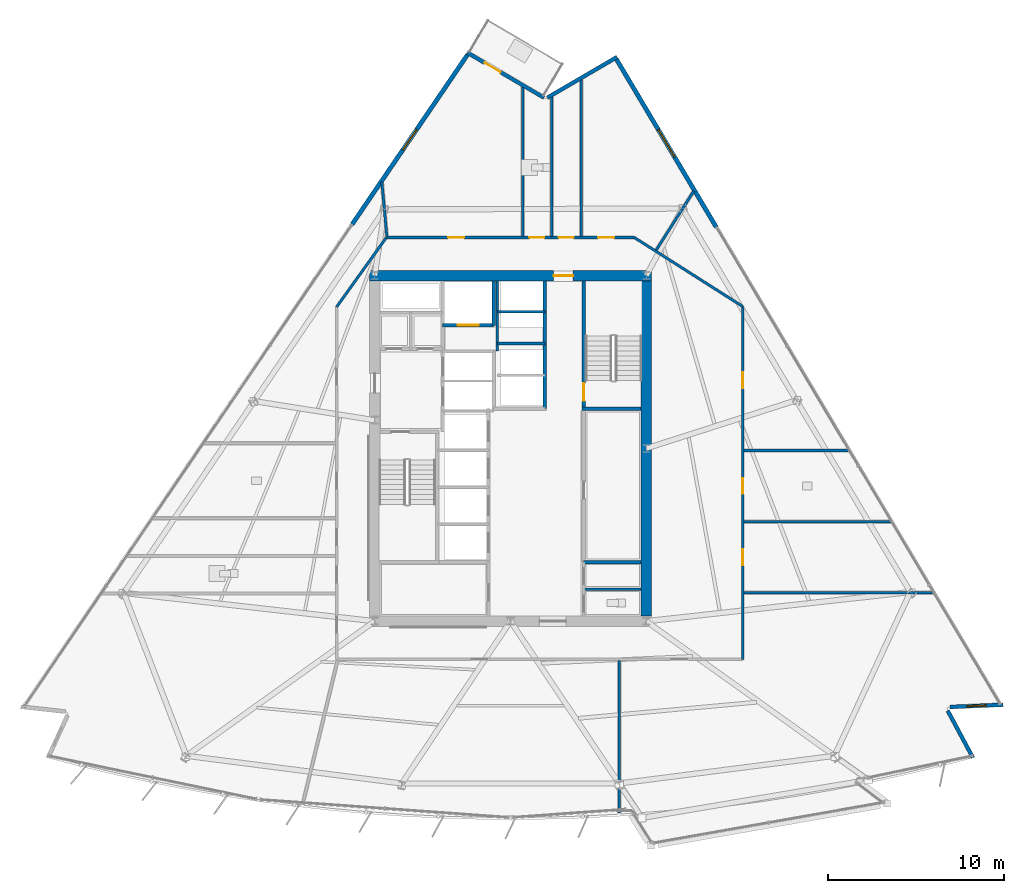
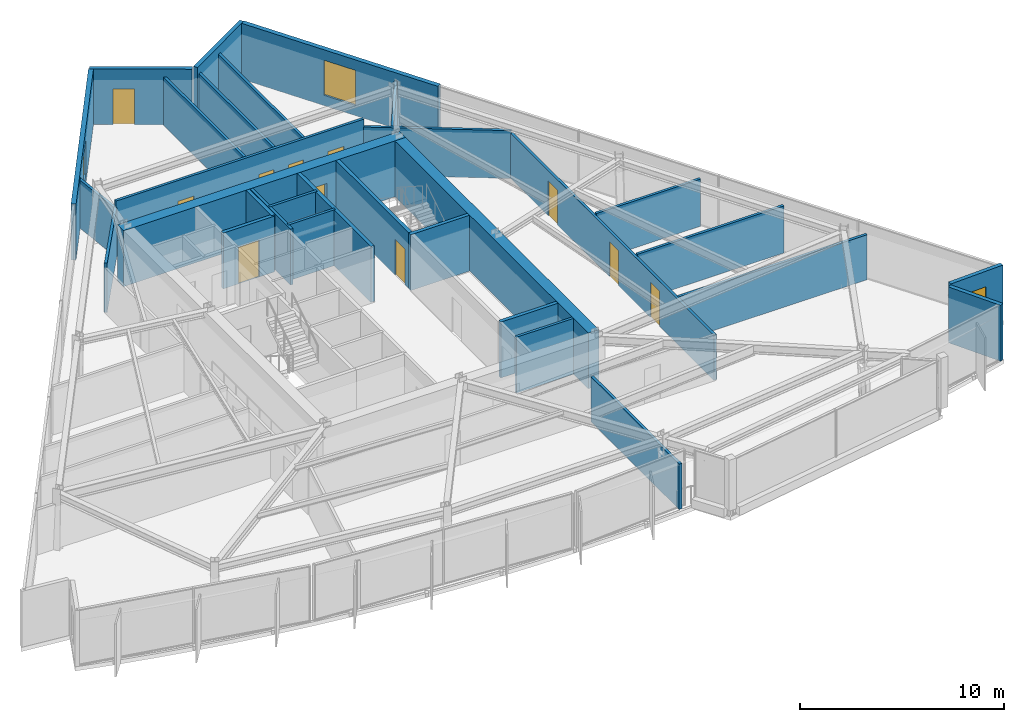
# One storey, part 9 of 15: 31 walls, 11 doors, 3 windows, 14 openings.
"""IFC4 building model written with IfcOpenShell, lengths in metres."""

from ifc_helpers import new_model, si_unit, direction, frame, frame_2d, origin, place, context, subcontext, project, spatial, rectangle, extrude, material, layer, layer_set, type_object, element, fill, save


model = new_model("IFC4")

# Units and contexts
model_context = context("Model", 3, precision=1e-05, world=origin(), true_north=direction((0.0, 1.0)))
body_context = subcontext(model_context, "Body", "Model", "MODEL_VIEW")
ifc_project = project(units=[si_unit("LENGTHUNIT", "METRE"), si_unit("AREAUNIT", "SQUARE_METRE"), si_unit("VOLUMEUNIT", "CUBIC_METRE"), si_unit("PLANEANGLEUNIT", "RADIAN"), si_unit("MASSUNIT", "GRAM", prefix="KILO")], contexts=[model_context])

# Site, building, storey
site_placement = place(None, origin())
site = spatial("IfcSite", under=ifc_project, at=site_placement, CompositionType="ELEMENT")
building_placement = place(site_placement, origin())
building = spatial("IfcBuilding", under=site, at=building_placement, Name="Savorim Split Tower", CompositionType="ELEMENT")
storey_placement = place(building_placement, frame((0.0, 0.0, 122.10009765625)))
storey = spatial("IfcBuildingStorey", under=building, at=storey_placement, Name="L32", CompositionType="ELEMENT", Elevation=122.10009765625)

# Wall, opening, door
ifc_material_1 = material(Name="Concrete C60/75", Category="concrete")
ifc_layer_1 = layer(ifc_material_1, 0.60009765625)
ifc_layer_set_1 = layer_set([ifc_layer_1], Name="WAL-COR-SH600")
wall_type_1 = type_object("IfcWallType", Name="WAL-COR-SH600", PredefinedType="SHEAR", material=ifc_layer_set_1)
wall_1_placement = place(storey_placement, frame((8.0, 10.199951171875, 0.0), z_axis=(0.0, 0.0, 1.0), x_axis=(-1.0, 0.0, 0.0)))
wall_1 = element("IfcWall", 1, at=wall_1_placement, inside=storey, type_object=wall_type_1, Name="L32 Offset Core North Shear Wall", PredefinedType="SHEAR", context=body_context, shape_type="SweptSolid", body=[
    extrude(rectangle(XDim=16.0, YDim=0.60009765625, at=frame_2d((8.0, 0.0))), origin(), (0.0, 0.0, 1.0), 3.349853515625),
])
opening_1_placement = place(wall_1_placement, frame((4.449951171875, 0.0, 0.0)))
opening_1 = element("IfcOpeningElement", 2, at=opening_1_placement, cuts=wall_1, Name="Opening DI-03", PredefinedType="OPENING", context=body_context, shape_type="SweptSolid", body=[
    extrude(rectangle(XDim=1.10009765625, YDim=2.14990234375, at=frame_2d((0.550048828125, 1.074951171875))), frame((0.0, 0.31005859375, 0.0), z_axis=(0.0, -1.0, 0.0), x_axis=(1.0, 0.0, 0.0)), (0.0, 0.0, 1.0), 0.6201171875),
])
ifc_material_2 = material(Name="Timber Fire Door Leaf", Category="wood")
door_type_1 = type_object("IfcDoorType", Name="DOR-FIR-1100", OperationType="NOTDEFINED", PredefinedType="DOOR", material=ifc_material_2)
door_1_placement = place(opening_1_placement, origin())
door_1 = element("IfcDoor", 3, at=door_1_placement, inside=storey, type_object=door_type_1, Name="DOR-L32-COR-NLOB - L32 North Corridor Lobby Fire Door", OperationType="SINGLE_SWING_LEFT", OverallHeight=2.14990234375, OverallWidth=1.10009765625, PredefinedType="DOOR", context=body_context, shape_type="SweptSolid", body=[
    extrude(rectangle(XDim=1.10009765625, YDim=2.14990234375, at=frame_2d((0.550048828125, 1.074951171875))), frame((0.0, 0.02490234375, 0.0), z_axis=(0.0, -1.0, 0.0), x_axis=(1.0, 0.0, 0.0)), (0.0, 0.0, 1.0), 0.050048828125),
])
fill(opening_1, door_1)

# Walls
wall_2_placement = place(storey_placement, frame((7.699951171875, 9.89990234375, 0.0), z_axis=(0.0, 0.0, 1.0), x_axis=(0.0, -1.0, 0.0)))
element("IfcWall", 4, at=wall_2_placement, inside=storey, type_object=wall_type_1, Name="L32 Offset Core East Shear Wall", PredefinedType="SHEAR", context=body_context, shape_type="SweptSolid", body=[
    extrude(rectangle(XDim=19.0, YDim=0.60009765625, at=frame_2d((9.5, 0.0))), origin(), (0.0, 0.0, 1.0), 3.349853515625),
])
ifc_material_3 = material(Name="Precast concrete C40/50", Category="concrete")
ifc_layer_2 = layer(ifc_material_3, 0.219970703125)
ifc_layer_set_2 = layer_set([ifc_layer_2], Name="WAL-EXT-CRN220")
wall_type_2 = type_object("IfcWallType", Name="WAL-EXT-CRN220", PredefinedType="SOLIDWALL", material=ifc_layer_set_2)
wall_3_placement = place(storey_placement, frame((24.79833984375, -14.477294921875, 0.0), z_axis=(0.0, 0.0, 1.0), x_axis=(0.472820757697, -0.881158629925, 0.0)))
element("IfcWall", 5, at=wall_3_placement, inside=storey, type_object=wall_type_2, Name="L32 Notched Corner Facade Wall SE1", PredefinedType="SOLIDWALL", context=body_context, shape_type="SweptSolid", body=[
    extrude(rectangle(XDim=3.02880859375, YDim=0.219970703125, at=frame_2d((1.514404296875, 0.0))), origin(), (0.0, 0.0, 1.0), 3.349853515625),
])

# Wall, opening, window
wall_4_placement = place(storey_placement, frame((27.943359375, -14.135009765625, 0.0), z_axis=(0.0, 0.0, 1.0), x_axis=(-0.999095621918, -0.042519857284, 0.0)))
wall_4 = element("IfcWall", 6, at=wall_4_placement, inside=storey, type_object=wall_type_2, Name="L32 Notched Corner Facade Wall SE", PredefinedType="SOLIDWALL", context=body_context, shape_type="SweptSolid", body=[
    extrude(rectangle(XDim=3.02587890625, YDim=0.219970703125, at=frame_2d((1.512939453125, 0.0))), origin(), (0.0, 0.0, 1.0), 3.349853515625),
])
opening_2_placement = place(wall_4_placement, frame((0.962890625, 0.0, 0.6201171875)))
opening_2 = element("IfcOpeningElement", 7, at=opening_2_placement, cuts=wall_4, Name="Opening WN-09", PredefinedType="OPENING", context=body_context, shape_type="SweptSolid", body=[
    extrude(rectangle(XDim=1.10009765625, YDim=1.800048828125, at=frame_2d((0.550048828125, 0.89990234375))), frame((0.0, 0.119873046875, 0.0), z_axis=(0.0, -1.0, 0.0), x_axis=(1.0, 0.0, 0.0)), (0.0, 0.0, 1.0), 0.239990234375),
])
ifc_material_4 = material(Name="Low-E Operable Double Glazing", Category="glass")
window_type_1 = type_object("IfcWindowType", Name="WIN-TWR-1100x1800", PartitioningType="SINGLE_PANEL", PredefinedType="WINDOW", material=ifc_material_4)
window_1_placement = place(opening_2_placement, origin())
window_1 = element("IfcWindow", 8, at=window_1_placement, inside=storey, type_object=window_type_1, Name="L32 Operable Corner Window SE", OverallHeight=1.800048828125, OverallWidth=1.10009765625, PartitioningType="SINGLE_PANEL", PredefinedType="WINDOW", context=body_context, shape_type="SweptSolid", body=[
    extrude(rectangle(XDim=1.10009765625, YDim=1.800048828125, at=frame_2d((0.550048828125, 0.89990234375))), frame((0.0, 0.030029296875, 0.0), z_axis=(0.0, -1.0, 0.0), x_axis=(1.0, 0.0, 0.0)), (0.0, 0.0, 1.0), 0.06005859375),
])
fill(opening_2, window_1)

# Wall
wall_5_placement = place(storey_placement, frame((2.090087890625, 20.290771484375, 0.0), z_axis=(0.0, 0.0, 1.0), x_axis=(0.863978647835, 0.503528446153, 0.0)))
element("IfcWall", 9, at=wall_5_placement, inside=storey, type_object=wall_type_2, Name="L32 Notched Corner Facade Wall NE1", PredefinedType="SOLIDWALL", context=body_context, shape_type="SweptSolid", body=[
    extrude(rectangle(XDim=4.564453125, YDim=0.219970703125, at=frame_2d((2.2822265625, 0.0))), origin(), (0.0, 0.0, 1.0), 3.349853515625),
])

# Wall, opening, door
wall_6_placement = place(storey_placement, frame((-2.447021484375, 22.845703125, 0.0), z_axis=(0.0, 0.0, 1.0), x_axis=(0.8621357974, -0.506677280763, 0.0)))
wall_6 = element("IfcWall", 10, at=wall_6_placement, inside=storey, type_object=wall_type_2, Name="L32 Notched Corner Facade Wall N", PredefinedType="SOLIDWALL", context=body_context, shape_type="SweptSolid", body=[
    extrude(rectangle(XDim=5.0419921875, YDim=0.219970703125, at=frame_2d((2.52099609375, 0.0))), origin(), (0.0, 0.0, 1.0), 3.349853515625),
])
opening_3_placement = place(wall_6_placement, frame((1.14599609375, 0.0, 0.0)))
opening_3 = element("IfcOpeningElement", 11, at=opening_3_placement, cuts=wall_6, Name="Opening DB-01", PredefinedType="OPENING", context=body_context, shape_type="SweptSolid", body=[
    extrude(rectangle(XDim=1.050048828125, YDim=2.14990234375, at=frame_2d((0.52490234375, 1.074951171875))), frame((0.0, 0.119873046875, 0.0), z_axis=(0.0, -1.0, 0.0), x_axis=(1.0, 0.0, 0.0)), (0.0, 0.0, 1.0), 0.239990234375),
])
ifc_material_5 = material(Name="Charcoal Anodised Aluminium", Category="aluminium")
door_type_2 = type_object("IfcDoorType", Name="DOR-BAL-1050", OperationType="NOTDEFINED", PredefinedType="DOOR", material=ifc_material_5)
door_2_placement = place(opening_3_placement, origin())
door_2 = element("IfcDoor", 12, at=door_2_placement, inside=storey, type_object=door_type_2, Name="DOR-L32-TBAL-N - L32 Planted Tree Balcony Door N", OperationType="SINGLE_SWING_LEFT", OverallHeight=2.14990234375, OverallWidth=1.050048828125, PredefinedType="DOOR", context=body_context, shape_type="SweptSolid", body=[
    extrude(rectangle(XDim=1.050048828125, YDim=2.14990234375, at=frame_2d((0.52490234375, 1.074951171875))), frame((0.0, 0.02490234375, 0.0), z_axis=(0.0, -1.0, 0.0), x_axis=(1.0, 0.0, 0.0)), (0.0, 0.0, 1.0), 0.050048828125),
])
fill(opening_3, door_2)

# Wall, opening, window
ifc_layer_3 = layer(ifc_material_3, 0.25)
ifc_layer_set_3 = layer_set([ifc_layer_3], Name="WAL-EXT-SPN250")
wall_type_3 = type_object("IfcWallType", Name="WAL-EXT-SPN250", PredefinedType="SOLIDWALL", material=ifc_layer_set_3)
wall_7_placement = place(storey_placement, frame((6.01708984375, 22.46240234375, 0.0), z_axis=(0.0, 0.0, 1.0), x_axis=(0.511085523564, -0.859529864288, 0.0)))
wall_7 = element("IfcWall", 13, at=wall_7_placement, inside=storey, type_object=wall_type_3, Name="L32 East Operable Window Pier", PredefinedType="SOLIDWALL", context=body_context, shape_type="SweptSolid", body=[
    extrude(rectangle(XDim=11.067626953125, YDim=0.25, at=frame_2d((5.53369140625, 0.0))), origin(), (0.0, 0.0, 1.0), 3.349853515625),
])
opening_4_placement = place(wall_7_placement, frame((4.6337890625, 0.0, 0.6201171875)))
opening_4 = element("IfcOpeningElement", 14, at=opening_4_placement, cuts=wall_7, Name="Opening WN-04", PredefinedType="OPENING", context=body_context, shape_type="SweptSolid", body=[
    extrude(rectangle(XDim=1.800048828125, YDim=2.10009765625, at=frame_2d((0.89990234375, 1.050048828125))), frame((0.0, 0.135009765625, 0.0), z_axis=(0.0, -1.0, 0.0), x_axis=(1.0, 0.0, 0.0)), (0.0, 0.0, 1.0), 0.27001953125),
])
window_type_2 = type_object("IfcWindowType", Name="WIN-TWR-1800x2100", PartitioningType="DOUBLE_PANEL_VERTICAL", PredefinedType="WINDOW", material=ifc_material_4)
window_2_placement = place(opening_4_placement, origin())
window_2 = element("IfcWindow", 15, at=window_2_placement, inside=storey, type_object=window_type_2, Name="L32 East Operable Ventilation Window", OverallHeight=2.10009765625, OverallWidth=1.800048828125, PartitioningType="SINGLE_PANEL", PredefinedType="WINDOW", context=body_context, shape_type="SweptSolid", body=[
    extrude(rectangle(XDim=1.800048828125, YDim=2.10009765625, at=frame_2d((0.89990234375, 1.050048828125))), frame((0.0, 0.030029296875, 0.0), z_axis=(0.0, -1.0, 0.0), x_axis=(1.0, 0.0, 0.0)), (0.0, 0.0, 1.0), 0.06005859375),
])
fill(opening_4, window_2)

wall_8_placement = place(storey_placement, frame((-8.98388671875, 13.1083984375, 0.0), z_axis=(0.0, 0.0, 1.0), x_axis=(0.562459365703, 0.826824928225, 0.0)))
wall_8 = element("IfcWall", 16, at=wall_8_placement, inside=storey, type_object=wall_type_3, Name="L32 West Operable Window Pier", PredefinedType="SOLIDWALL", context=body_context, shape_type="SweptSolid", body=[
    extrude(rectangle(XDim=11.625, YDim=0.25, at=frame_2d((5.8125, 0.0))), origin(), (0.0, 0.0, 1.0), 3.349853515625),
])
opening_5_placement = place(wall_8_placement, frame((5.112548828125, 0.0, 0.6201171875)))
opening_5 = element("IfcOpeningElement", 17, at=opening_5_placement, cuts=wall_8, Name="Opening WN-07", PredefinedType="OPENING", context=body_context, shape_type="SweptSolid", body=[
    extrude(rectangle(XDim=1.39990234375, YDim=2.0, at=frame_2d((0.699951171875, 1.0))), frame((0.0, 0.135009765625, 0.0), z_axis=(0.0, -1.0, 0.0), x_axis=(1.0, 0.0, 0.0)), (0.0, 0.0, 1.0), 0.27001953125),
])
window_type_3 = type_object("IfcWindowType", Name="WIN-TWR-1400x2000", PartitioningType="SINGLE_PANEL", PredefinedType="WINDOW", material=ifc_material_4)
window_3_placement = place(opening_5_placement, origin())
window_3 = element("IfcWindow", 18, at=window_3_placement, inside=storey, type_object=window_type_3, Name="L32 West Operable Ventilation Window", OverallHeight=2.0, OverallWidth=1.39990234375, PartitioningType="SINGLE_PANEL", PredefinedType="WINDOW", context=body_context, shape_type="SweptSolid", body=[
    extrude(rectangle(XDim=1.39990234375, YDim=2.0, at=frame_2d((0.699951171875, 1.0))), frame((0.0, 0.030029296875, 0.0), z_axis=(0.0, -1.0, 0.0), x_axis=(1.0, 0.0, 0.0)), (0.0, 0.0, 1.0), 0.06005859375),
])
fill(opening_5, window_3)

# Wall, opening, door
ifc_material_6 = material(Name="Concrete C50/60", Category="concrete")
ifc_layer_4 = layer(ifc_material_6, 0.199951171875)
ifc_layer_set_4 = layer_set([ifc_layer_4], Name="WAL-INT-RC200")
wall_type_4 = type_object("IfcWallType", Name="WAL-INT-RC200", PredefinedType="SOLIDWALL", material=ifc_layer_set_4)
wall_9_placement = place(storey_placement, frame((4.14990234375, 2.75, 0.0), z_axis=(0.0, 0.0, 1.0), x_axis=(0.0, 1.0, 0.0)))
wall_9 = element("IfcWall", 19, at=wall_9_placement, inside=storey, type_object=wall_type_4, Name="L32 Structural Shaft Wall W-L32-CR07", PredefinedType="SOLIDWALL", context=body_context, shape_type="SweptSolid", body=[
    extrude(rectangle(XDim=7.14990234375, YDim=0.199951171875, at=frame_2d((3.574951171875, 0.0))), origin(), (0.0, 0.0, 1.0), 3.349853515625),
])
opening_6_placement = place(wall_9_placement, frame((0.35009765625, 0.0, 0.0)))
opening_6 = element("IfcOpeningElement", 20, at=opening_6_placement, cuts=wall_9, Name="Opening DI-04", PredefinedType="OPENING", context=body_context, shape_type="SweptSolid", body=[
    extrude(rectangle(XDim=1.0, YDim=2.14990234375, at=frame_2d((0.5, 1.074951171875))), frame((0.0, 0.10986328125, 0.0), z_axis=(0.0, -1.0, 0.0), x_axis=(1.0, 0.0, 0.0)), (0.0, 0.0, 1.0), 0.219970703125),
])
door_type_3 = type_object("IfcDoorType", Name="DOR-FIR-1000", OperationType="NOTDEFINED", PredefinedType="DOOR", material=ifc_material_2)
door_3_placement = place(opening_6_placement, origin())
door_3 = element("IfcDoor", 21, at=door_3_placement, inside=storey, type_object=door_type_3, Name="DR-L32-ST2 - L32 Stair ST-2 Enclosure Door", OperationType="SINGLE_SWING_RIGHT", OverallHeight=2.14990234375, OverallWidth=1.0, PredefinedType="DOOR", context=body_context, shape_type="SweptSolid", body=[
    extrude(rectangle(XDim=1.0, YDim=2.14990234375, at=frame_2d((0.5, 1.074951171875))), frame((0.0, 0.02490234375, 0.0), z_axis=(0.0, -1.0, 0.0), x_axis=(1.0, 0.0, 0.0)), (0.0, 0.0, 1.0), 0.050048828125),
])
fill(opening_6, door_3)

# Wall
wall_10_placement = place(storey_placement, frame((4.050048828125, 2.64990234375, 0.0), z_axis=(0.0, 0.0, 1.0), x_axis=(1.0, 0.0, 0.0)))
element("IfcWall", 22, at=wall_10_placement, inside=storey, type_object=wall_type_4, Name="L32 Structural Shaft Wall W-L32-CR08", PredefinedType="SOLIDWALL", context=body_context, shape_type="SweptSolid", body=[
    extrude(rectangle(XDim=3.349853515625, YDim=0.199951171875, at=frame_2d((1.6748046875, 0.0))), origin(), (0.0, 0.0, 1.0), 3.349853515625),
])

# Wall, opening, door
wall_11_placement = place(storey_placement, frame((-3.85009765625, 7.3798828125, 0.0), z_axis=(0.0, 0.0, 1.0), x_axis=(1.0, 0.0, 0.0)))
wall_11 = element("IfcWall", 23, at=wall_11_placement, inside=storey, type_object=wall_type_4, Name="L32 Partition W-L32-SVLS", PredefinedType="SOLIDWALL", context=body_context, shape_type="SweptSolid", body=[
    extrude(rectangle(XDim=2.900146484375, YDim=0.199951171875, at=frame_2d((1.4501953125, 0.0))), origin(), (0.0, 0.0, 1.0), 3.349853515625),
])
opening_7_placement = place(wall_11_placement, frame((0.85009765625, 0.0, 0.0)))
opening_7 = element("IfcOpeningElement", 24, at=opening_7_placement, cuts=wall_11, Name="Opening LD-SV", PredefinedType="OPENING", context=body_context, shape_type="SweptSolid", body=[
    extrude(rectangle(XDim=1.199951171875, YDim=2.199951171875, at=frame_2d((0.60009765625, 1.10009765625))), frame((0.0, 0.10986328125, 0.0), z_axis=(0.0, -1.0, 0.0), x_axis=(1.0, 0.0, 0.0)), (0.0, 0.0, 1.0), 0.219970703125),
])
door_type_4 = type_object("IfcDoorType", Name="DOR-SLD-SV1200", OperationType="NOTDEFINED", PredefinedType="DOOR", material=ifc_material_5)
door_4_placement = place(opening_7_placement, origin())
door_4 = element("IfcDoor", 25, at=door_4_placement, inside=storey, type_object=door_type_4, Name="DR-L32-LD-SVL1 - L32 Service Lift SVL-1 Sliding Landing Door", OperationType="DOUBLE_DOOR_SLIDING", OverallHeight=2.199951171875, OverallWidth=1.199951171875, PredefinedType="DOOR", context=body_context, shape_type="SweptSolid", body=[
    extrude(rectangle(XDim=1.199951171875, YDim=2.199951171875, at=frame_2d((0.60009765625, 1.10009765625))), frame((0.0, 0.02490234375, 0.0), z_axis=(0.0, -1.0, 0.0), x_axis=(1.0, 0.0, 0.0)), (0.0, 0.0, 1.0), 0.050048828125),
])
fill(opening_7, door_4)

# Walls
wall_12_placement = place(storey_placement, frame((-0.949951171875, 7.3798828125, 0.0), z_axis=(0.0, 0.0, 1.0), x_axis=(0.0, 1.0, 0.0)))
element("IfcWall", 26, at=wall_12_placement, inside=storey, type_object=wall_type_4, Name="L32 Partition W-L32-SVLE", PredefinedType="SOLIDWALL", context=body_context, shape_type="SweptSolid", body=[
    extrude(rectangle(XDim=2.51513671875, YDim=0.199951171875, at=frame_2d((1.257568359375, 0.0))), origin(), (0.0, 0.0, 1.0), 3.349853515625),
])
wall_13_placement = place(storey_placement, frame((1.949951171875, 2.64990234375, 0.0), z_axis=(0.0, 0.0, 1.0), x_axis=(0.0, 1.0, 0.0)))
element("IfcWall", 27, at=wall_13_placement, inside=storey, type_object=wall_type_4, Name="L32 Partition W-L32-B3FRONT", PredefinedType="SOLIDWALL", context=body_context, shape_type="SweptSolid", body=[
    extrude(rectangle(XDim=7.2451171875, YDim=0.199951171875, at=frame_2d((3.62255859375, 0.0))), origin(), (0.0, 0.0, 1.0), 3.349853515625),
])
wall_14_placement = place(storey_placement, frame((4.14990234375, -6.050048828125, 0.0), z_axis=(0.0, 0.0, 1.0), x_axis=(1.0, 0.0, 0.0)))
element("IfcWall", 28, at=wall_14_placement, inside=storey, type_object=wall_type_4, Name="L32 Partition W-L32-KSEP-E", PredefinedType="SOLIDWALL", context=body_context, shape_type="SweptSolid", body=[
    extrude(rectangle(XDim=3.2451171875, YDim=0.199951171875, at=frame_2d((1.62255859375, 0.0))), origin(), (0.0, 0.0, 1.0), 3.349853515625),
])
ifc_material_7 = material(Name="Acoustic Gypsum Partition Board")
ifc_layer_5 = layer(ifc_material_7, 0.14990234375)
ifc_layer_set_5 = layer_set([ifc_layer_5], Name="WAL-PAR-150")
wall_type_5 = type_object("IfcWallType", Name="WAL-PAR-150", PredefinedType="PARTITIONING", material=ifc_layer_set_5)
wall_15_placement = place(storey_placement, frame((-0.75, 5.919921875, 0.0), z_axis=(0.0, 0.0, 1.0), x_axis=(0.0, 1.0, 0.0)))
element("IfcWall", 29, at=wall_15_placement, inside=storey, type_object=wall_type_5, Name="L32 Partition W-L32-B3WEST", PredefinedType="PARTITIONING", context=body_context, shape_type="SweptSolid", body=[
    extrude(rectangle(XDim=3.97509765625, YDim=0.14990234375, at=frame_2d((1.987548828125, 0.0))), origin(), (0.0, 0.0, 1.0), 3.349853515625),
])
for number, where, z_axis, x_axis, name in (
    (30, (-0.75, 6.35009765625, 0.0), (0.0, 0.0, 1.0), (1.0, 0.0, 0.0), "L32 Partition W-L32-B3DIV2"),
    (31, (-0.75, 8.14990234375, 0.0), (0.0, 0.0, 1.0), (1.0, 0.0, 0.0), "L32 Partition W-L32-B3DIV3"),
):
    element("IfcWall", number, at=place(storey_placement, frame(where, z_axis=z_axis, x_axis=x_axis)), inside=storey, type_object=wall_type_5, Name=name, PredefinedType="PARTITIONING", context=body_context, shape_type="SweptSolid", body=[
        extrude(rectangle(XDim=2.699951171875, YDim=0.14990234375, at=frame_2d((1.35009765625, 0.0))), origin(), (0.0, 0.0, 1.0), 3.349853515625),
    ])
wall_16_placement = place(storey_placement, frame((4.14990234375, -7.580078125, 0.0), z_axis=(0.0, 0.0, 1.0), x_axis=(1.0, 0.0, 0.0)))
element("IfcWall", 32, at=wall_16_placement, inside=storey, type_object=wall_type_5, Name="L32 Partition W-L32-K3H", PredefinedType="PARTITIONING", context=body_context, shape_type="SweptSolid", body=[
    extrude(rectangle(XDim=3.2451171875, YDim=0.14990234375, at=frame_2d((1.62255859375, 0.0))), origin(), (0.0, 0.0, 1.0), 3.349853515625),
])
wall_17_placement = place(storey_placement, frame((-9.860107421875, 8.42578125, 0.0), z_axis=(0.0, 0.0, 1.0), x_axis=(0.582449511476, 0.812866881218, 0.0)))
element("IfcWall", 33, at=wall_17_placement, inside=storey, type_object=wall_type_5, Name="L32 Partition W-L32-COR-02", PredefinedType="PARTITIONING", context=body_context, shape_type="SweptSolid", body=[
    extrude(rectangle(XDim=4.840087890625, YDim=0.14990234375, at=frame_2d((2.419921875, 0.0))), origin(), (0.0, 0.0, 1.0), 2.96484375),
])

# Wall, openings, doors
wall_18_placement = place(storey_placement, frame((-7.041015625, 12.360107421875, 0.0), z_axis=(0.0, 0.0, 1.0), x_axis=(1.0, 0.0, 0.0)))
wall_18 = element("IfcWall", 34, at=wall_18_placement, inside=storey, type_object=wall_type_5, Name="L32 Partition W-L32-COR-03", PredefinedType="PARTITIONING", context=body_context, shape_type="SweptSolid", body=[
    extrude(rectangle(XDim=14.064208984375, YDim=0.14990234375, at=frame_2d((7.0322265625, 0.0))), origin(), (0.0, 0.0, 1.0), 3.349853515625),
])
opening_8_placement = place(wall_18_placement, frame((12.017333984375, 0.0, 0.0)))
opening_8 = element("IfcOpeningElement", 35, at=opening_8_placement, cuts=wall_18, Name="Opening DI-06", PredefinedType="OPENING", context=body_context, shape_type="SweptSolid", body=[
    extrude(rectangle(XDim=0.89990234375, YDim=2.10009765625, at=frame_2d((0.449951171875, 1.050048828125))), frame((0.0, 0.0849609375, 0.0), z_axis=(0.0, -1.0, 0.0), x_axis=(1.0, 0.0, 0.0)), (0.0, 0.0, 1.0), 0.169921875),
])
opening_9_placement = place(wall_18_placement, frame((9.769775390625, 0.0, 0.0)))
opening_9 = element("IfcOpeningElement", 36, at=opening_9_placement, cuts=wall_18, Name="Opening DI-13", PredefinedType="OPENING", context=body_context, shape_type="SweptSolid", body=[
    extrude(rectangle(XDim=0.85009765625, YDim=2.10009765625, at=frame_2d((0.425048828125, 1.050048828125))), frame((0.0, 0.0849609375, 0.0), z_axis=(0.0, -1.0, 0.0), x_axis=(1.0, 0.0, 0.0)), (0.0, 0.0, 1.0), 0.169921875),
])
opening_10_placement = place(wall_18_placement, frame((8.11181640625, 0.0, 0.0)))
opening_10 = element("IfcOpeningElement", 37, at=opening_10_placement, cuts=wall_18, Name="Opening DI-13", PredefinedType="OPENING", context=body_context, shape_type="SweptSolid", body=[
    extrude(rectangle(XDim=0.85009765625, YDim=2.10009765625, at=frame_2d((0.425048828125, 1.050048828125))), frame((0.0, 0.0849609375, 0.0), z_axis=(0.0, -1.0, 0.0), x_axis=(1.0, 0.0, 0.0)), (0.0, 0.0, 1.0), 0.169921875),
])
opening_11_placement = place(wall_18_placement, frame((3.505615234375, 0.0, 0.0)))
opening_11 = element("IfcOpeningElement", 38, at=opening_11_placement, cuts=wall_18, Name="Opening DI-06", PredefinedType="OPENING", context=body_context, shape_type="SweptSolid", body=[
    extrude(rectangle(XDim=0.89990234375, YDim=2.10009765625, at=frame_2d((0.449951171875, 1.050048828125))), frame((0.0, 0.0849609375, 0.0), z_axis=(0.0, -1.0, 0.0), x_axis=(1.0, 0.0, 0.0)), (0.0, 0.0, 1.0), 0.169921875),
])
door_type_5 = type_object("IfcDoorType", Name="DOR-FIR-850", OperationType="NOTDEFINED", PredefinedType="DOOR", material=ifc_material_2)
door_5_placement = place(opening_9_placement, origin())
door_5 = element("IfcDoor", 39, at=door_5_placement, inside=storey, type_object=door_type_5, Name="DR-L32-RM11 - L32 Quiet Study Room Entry Door", OperationType="SINGLE_SWING_RIGHT", OverallHeight=2.10009765625, OverallWidth=0.85009765625, PredefinedType="DOOR", context=body_context, shape_type="SweptSolid", body=[
    extrude(rectangle(XDim=0.85009765625, YDim=2.10009765625, at=frame_2d((0.425048828125, 1.050048828125))), frame((0.0, 0.02490234375, 0.0), z_axis=(0.0, -1.0, 0.0), x_axis=(1.0, 0.0, 0.0)), (0.0, 0.0, 1.0), 0.050048828125),
])
fill(opening_9, door_5)
door_6_placement = place(opening_10_placement, origin())
door_6 = element("IfcDoor", 40, at=door_6_placement, inside=storey, type_object=door_type_5, Name="DR-L32-RM12 - L32 Shared Bathroom Entry Door", OperationType="SINGLE_SWING_LEFT", OverallHeight=2.10009765625, OverallWidth=0.85009765625, PredefinedType="DOOR", context=body_context, shape_type="SweptSolid", body=[
    extrude(rectangle(XDim=0.85009765625, YDim=2.10009765625, at=frame_2d((0.425048828125, 1.050048828125))), frame((0.0, 0.02490234375, 0.0), z_axis=(0.0, -1.0, 0.0), x_axis=(1.0, 0.0, 0.0)), (0.0, 0.0, 1.0), 0.050048828125),
])
fill(opening_10, door_6)
door_type_6 = type_object("IfcDoorType", Name="DOR-FIR-900", OperationType="NOTDEFINED", PredefinedType="DOOR", material=ifc_material_2)
door_7_placement = place(opening_8_placement, origin())
door_7 = element("IfcDoor", 41, at=door_7_placement, inside=storey, type_object=door_type_6, Name="DR-L32-RM10 - L32 Maker Workshop Entry Door", OperationType="SINGLE_SWING_LEFT", OverallHeight=2.10009765625, OverallWidth=0.89990234375, PredefinedType="DOOR", context=body_context, shape_type="SweptSolid", body=[
    extrude(rectangle(XDim=0.89990234375, YDim=2.10009765625, at=frame_2d((0.449951171875, 1.050048828125))), frame((0.0, 0.02490234375, 0.0), z_axis=(0.0, -1.0, 0.0), x_axis=(1.0, 0.0, 0.0)), (0.0, 0.0, 1.0), 0.050048828125),
])
fill(opening_8, door_7)
door_8_placement = place(opening_11_placement, origin())
door_8 = element("IfcDoor", 42, at=door_8_placement, inside=storey, type_object=door_type_6, Name="DR-L32-RM13 - L32 Co-Working Commons Entry Door", OperationType="SINGLE_SWING_RIGHT", OverallHeight=2.10009765625, OverallWidth=0.89990234375, PredefinedType="DOOR", context=body_context, shape_type="SweptSolid", body=[
    extrude(rectangle(XDim=0.89990234375, YDim=2.10009765625, at=frame_2d((0.449951171875, 1.050048828125))), frame((0.0, 0.02490234375, 0.0), z_axis=(0.0, -1.0, 0.0), x_axis=(1.0, 0.0, 0.0)), (0.0, 0.0, 1.0), 0.050048828125),
])
fill(opening_11, door_8)

# Wall
wall_19_placement = place(storey_placement, frame((7.023193359375, 12.360107421875, 0.0), z_axis=(0.0, 0.0, 1.0), x_axis=(0.84376480085, -0.536713108511, 0.0)))
element("IfcWall", 43, at=wall_19_placement, inside=storey, type_object=wall_type_5, Name="L32 Partition W-L32-COR-04", PredefinedType="PARTITIONING", context=body_context, shape_type="SweptSolid", body=[
    extrude(rectangle(XDim=7.296630859375, YDim=0.14990234375, at=frame_2d((3.6484375, 0.0))), origin(), (0.0, 0.0, 1.0), 2.875),
])

# Wall, openings, doors
wall_20_placement = place(storey_placement, frame((13.179931640625, 8.44384765625, 0.0), z_axis=(0.0, 0.0, 1.0), x_axis=(0.0, -1.0, 0.0)))
wall_20 = element("IfcWall", 44, at=wall_20_placement, inside=storey, type_object=wall_type_5, Name="L32 Partition W-L32-COR-05", PredefinedType="PARTITIONING", context=body_context, shape_type="SweptSolid", body=[
    extrude(rectangle(XDim=20.00390625, YDim=0.14990234375, at=frame_2d((10.001953125, 0.0))), origin(), (0.0, 0.0, 1.0), 2.704833984375),
])
opening_12_placement = place(wall_20_placement, frame((13.76025390625, 0.0, 0.0)))
opening_12 = element("IfcOpeningElement", 45, at=opening_12_placement, cuts=wall_20, Name="Opening DI-06", PredefinedType="OPENING", context=body_context, shape_type="SweptSolid", body=[
    extrude(rectangle(XDim=0.89990234375, YDim=2.10009765625, at=frame_2d((0.449951171875, 1.050048828125))), frame((0.0, 0.0849609375, 0.0), z_axis=(0.0, -1.0, 0.0), x_axis=(1.0, 0.0, 0.0)), (0.0, 0.0, 1.0), 0.169921875),
])
opening_13_placement = place(wall_20_placement, frame((9.728759765625, 0.0, 0.0)))
opening_13 = element("IfcOpeningElement", 46, at=opening_13_placement, cuts=wall_20, Name="Opening DI-06", PredefinedType="OPENING", context=body_context, shape_type="SweptSolid", body=[
    extrude(rectangle(XDim=0.89990234375, YDim=2.10009765625, at=frame_2d((0.449951171875, 1.050048828125))), frame((0.0, 0.0849609375, 0.0), z_axis=(0.0, -1.0, 0.0), x_axis=(1.0, 0.0, 0.0)), (0.0, 0.0, 1.0), 0.169921875),
])
opening_14_placement = place(wall_20_placement, frame((3.720703125, 0.0, 0.0)))
opening_14 = element("IfcOpeningElement", 47, at=opening_14_placement, cuts=wall_20, Name="Opening DI-06", PredefinedType="OPENING", context=body_context, shape_type="SweptSolid", body=[
    extrude(rectangle(XDim=0.89990234375, YDim=2.10009765625, at=frame_2d((0.449951171875, 1.050048828125))), frame((0.0, 0.0849609375, 0.0), z_axis=(0.0, -1.0, 0.0), x_axis=(1.0, 0.0, 0.0)), (0.0, 0.0, 1.0), 0.169921875),
])
door_9_placement = place(opening_12_placement, origin())
door_9 = element("IfcDoor", 48, at=door_9_placement, inside=storey, type_object=door_type_6, Name="DR-L32-RM07 - L32 Communal Lounge Entry Door", OperationType="SINGLE_SWING_RIGHT", OverallHeight=2.10009765625, OverallWidth=0.89990234375, PredefinedType="DOOR", context=body_context, shape_type="SweptSolid", body=[
    extrude(rectangle(XDim=0.89990234375, YDim=2.10009765625, at=frame_2d((0.449951171875, 1.050048828125))), frame((0.0, 0.02490234375, 0.0), z_axis=(0.0, -1.0, 0.0), x_axis=(1.0, 0.0, 0.0)), (0.0, 0.0, 1.0), 0.050048828125),
])
fill(opening_12, door_9)
door_10_placement = place(opening_13_placement, origin())
door_10 = element("IfcDoor", 49, at=door_10_placement, inside=storey, type_object=door_type_6, Name="DR-L32-RM08 - L32 Community Laundry Room Entry Door", OperationType="SINGLE_SWING_LEFT", OverallHeight=2.10009765625, OverallWidth=0.89990234375, PredefinedType="DOOR", context=body_context, shape_type="SweptSolid", body=[
    extrude(rectangle(XDim=0.89990234375, YDim=2.10009765625, at=frame_2d((0.449951171875, 1.050048828125))), frame((0.0, 0.02490234375, 0.0), z_axis=(0.0, -1.0, 0.0), x_axis=(1.0, 0.0, 0.0)), (0.0, 0.0, 1.0), 0.050048828125),
])
fill(opening_13, door_10)
door_11_placement = place(opening_14_placement, origin())
door_11 = element("IfcDoor", 50, at=door_11_placement, inside=storey, type_object=door_type_6, Name="DR-L32-RM09 - L32 Co-Working Commons Entry Door", OperationType="SINGLE_SWING_RIGHT", OverallHeight=2.10009765625, OverallWidth=0.89990234375, PredefinedType="DOOR", context=body_context, shape_type="SweptSolid", body=[
    extrude(rectangle(XDim=0.89990234375, YDim=2.10009765625, at=frame_2d((0.449951171875, 1.050048828125))), frame((0.0, 0.02490234375, 0.0), z_axis=(0.0, -1.0, 0.0), x_axis=(1.0, 0.0, 0.0)), (0.0, 0.0, 1.0), 0.050048828125),
])
fill(opening_14, door_11)

# Walls
wall_21_placement = place(storey_placement, frame((6.172119140625, -11.6201171875, 0.0), z_axis=(0.0, 0.0, 1.0), x_axis=(0.0, -1.0, 0.0)))
element("IfcWall", 51, at=wall_21_placement, inside=storey, type_object=wall_type_5, Name="L32 Partition W-L32-PRAD03", PredefinedType="PARTITIONING", context=body_context, shape_type="SweptSolid", body=[
    extrude(rectangle(XDim=8.670166015625, YDim=0.14990234375, at=frame_2d((4.3349609375, 0.0))), origin(), (0.0, 0.0, 1.0), 2.724853515625),
])
wall_22_placement = place(storey_placement, frame((13.239990234375, -7.7822265625, 0.0), z_axis=(0.0, 0.0, 1.0), x_axis=(1.0, 0.0, 0.0)))
element("IfcWall", 52, at=wall_22_placement, inside=storey, type_object=wall_type_5, Name="L32 Partition W-L32-PRAD05", PredefinedType="PARTITIONING", context=body_context, shape_type="SweptSolid", body=[
    extrude(rectangle(XDim=10.702880859375, YDim=0.14990234375, at=frame_2d((5.3515625, 0.0))), origin(), (0.0, 0.0, 1.0), 2.704833984375),
])
wall_23_placement = place(storey_placement, frame((8.26171875, 11.643310546875, 0.0), z_axis=(0.0, 0.0, 1.0), x_axis=(0.536696759346, 0.843775200221, 0.0)))
element("IfcWall", 53, at=wall_23_placement, inside=storey, type_object=wall_type_5, Name="L32 Partition W-L32-PRAD07", PredefinedType="PARTITIONING", context=body_context, shape_type="SweptSolid", body=[
    extrude(rectangle(XDim=3.9775390625, YDim=0.14990234375, at=frame_2d((1.98876953125, 0.0))), origin(), (0.0, 0.0, 1.0), 2.875),
])
wall_24_placement = place(storey_placement, frame((-7.01318359375, 12.419189453125, 0.0), z_axis=(0.0, 0.0, 1.0), x_axis=(-0.090031491969, 0.995938919038, 0.0)))
element("IfcWall", 54, at=wall_24_placement, inside=storey, type_object=wall_type_5, Name="L32 Partition W-L32-PRAD08", PredefinedType="PARTITIONING", context=body_context, shape_type="SweptSolid", body=[
    extrude(rectangle(XDim=3.099609375, YDim=0.14990234375, at=frame_2d((1.5498046875, 0.0))), origin(), (0.0, 0.0, 1.0), 2.885009765625),
])
wall_25_placement = place(storey_placement, frame((0.691650390625, 12.419921875, 0.0), z_axis=(0.0, 0.0, 1.0), x_axis=(0.0, 1.0, 0.0)))
element("IfcWall", 55, at=wall_25_placement, inside=storey, type_object=wall_type_5, Name="L32 Partition W-L32-SUB01", PredefinedType="PARTITIONING", context=body_context, shape_type="SweptSolid", body=[
    extrude(rectangle(XDim=8.523193359375, YDim=0.14990234375, at=frame_2d((4.26171875, 0.0))), origin(), (0.0, 0.0, 1.0), 2.885009765625),
])
wall_26_placement = place(storey_placement, frame((13.239990234375, 0.281005859375, 0.0), z_axis=(0.0, 0.0, 1.0), x_axis=(1.0, 0.0, 0.0)))
element("IfcWall", 56, at=wall_26_placement, inside=storey, type_object=wall_type_5, Name="L32 Partition W-L32-SUB04", PredefinedType="PARTITIONING", context=body_context, shape_type="SweptSolid", body=[
    extrude(rectangle(XDim=5.908203125, YDim=0.14990234375, at=frame_2d((2.9541015625, 0.0))), origin(), (0.0, 0.0, 1.0), 2.824951171875),
])
wall_27_placement = place(storey_placement, frame((4.007568359375, 12.419921875, 0.0), z_axis=(0.0, 0.0, 1.0), x_axis=(0.0, 1.0, 0.0)))
element("IfcWall", 57, at=wall_27_placement, inside=storey, type_object=wall_type_5, Name="L32 Partition W-L32-SUB05", PredefinedType="PARTITIONING", context=body_context, shape_type="SweptSolid", body=[
    extrude(rectangle(XDim=8.930419921875, YDim=0.14990234375, at=frame_2d((4.46533203125, 0.0))), origin(), (0.0, 0.0, 1.0), 2.885009765625),
])
wall_28_placement = place(storey_placement, frame((2.349609375, 12.419921875, 0.0), z_axis=(0.0, 0.0, 1.0), x_axis=(0.0, 1.0, 0.0)))
element("IfcWall", 58, at=wall_28_placement, inside=storey, type_object=wall_type_5, Name="L32 Partition W-L32-SUB06", PredefinedType="PARTITIONING", context=body_context, shape_type="SweptSolid", body=[
    extrude(rectangle(XDim=7.964111328125, YDim=0.14990234375, at=frame_2d((3.98193359375, 0.0))), origin(), (0.0, 0.0, 1.0), 2.885009765625),
])
wall_29_placement = place(storey_placement, frame((13.239990234375, -3.75048828125, 0.0), z_axis=(0.0, 0.0, 1.0), x_axis=(0.999999999568, -2.9394474e-05, 0.0)))
element("IfcWall", 59, at=wall_29_placement, inside=storey, type_object=wall_type_5, Name="L32 Partition W-L32-SUB07", PredefinedType="PARTITIONING", context=body_context, shape_type="SweptSolid", body=[
    extrude(rectangle(XDim=8.3056640625, YDim=0.14990234375, at=frame_2d((4.15283203125, 0.0))), origin(), (0.0, 0.0, 1.0), 2.824951171875),
])

save(model, "model.ifc")
